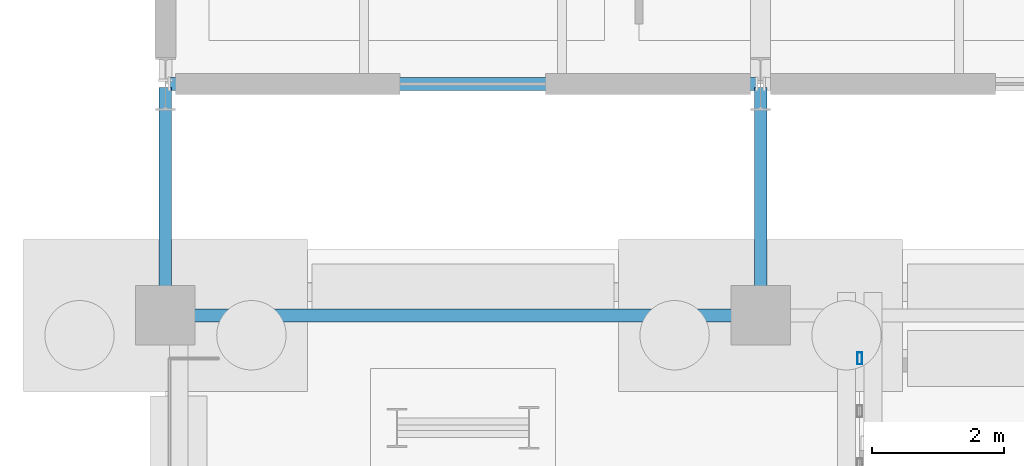
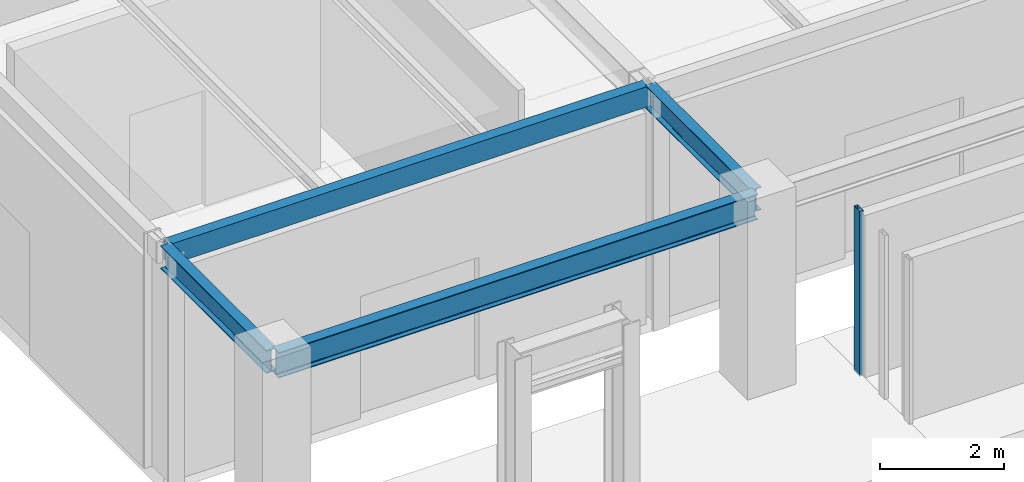
# One storey, part 73 of 160: 4 beams, 1 member, 1 element without a shape of its own.
"""IFC4 building model written with IfcOpenShell, lengths in metres."""

from ifc_helpers import new_model, si_unit, direction, frame, origin, origin_2d, place, context, subcontext, project, spatial, hollow_rectangle, i_section, extrude, material, layer, layer_set, material_profile, profile_set, type_object, element, aggregate, save


model = new_model("IFC4")

# Units and contexts
model_context = context("Model", 3, precision=1e-05, world=origin(), true_north=direction((0.0, 1.0)))
body_context = subcontext(model_context, "Body", "Model", "MODEL_VIEW")
ifc_project = project(units=[si_unit("LENGTHUNIT", "METRE"), si_unit("AREAUNIT", "SQUARE_METRE"), si_unit("VOLUMEUNIT", "CUBIC_METRE"), si_unit("PLANEANGLEUNIT", "RADIAN"), si_unit("MASSUNIT", "GRAM", prefix="KILO")], contexts=[model_context])

# Site, building, storey
site_placement = place(None, origin())
site = spatial("IfcSite", under=ifc_project, at=site_placement, CompositionType="ELEMENT")
building_placement = place(site_placement, origin())
building = spatial("IfcBuilding", under=site, at=building_placement, Name="Marlcrest Central Station", CompositionType="ELEMENT")
storey_placement = place(building_placement, origin())
storey = spatial("IfcBuildingStorey", under=building, at=storey_placement, Name="L00", CompositionType="ELEMENT", Elevation=0.0)

# Beams
ifc_material_1 = material(Name="Steel S355", Category="steel")
ifc_material_profile_1 = material_profile(ifc_material_1, i_section(OverallWidth=0.18994140625, OverallDepth=0.449951171875, WebThickness=0.009521484375, FlangeThickness=0.0146484375, FilletRadius=0.02099609375, at=origin_2d()), Name="IPE 450")
ifc_profile_set_1 = profile_set([ifc_material_profile_1], Name="Steel S355")
beam_type_1 = type_object("IfcBeamType", Name="BM-04", PredefinedType="BEAM", material=ifc_profile_set_1)
for number, where, z_axis, x_axis, name in (
    (1, (0.0, 95.550048828125, 4.385009765625), (0.0, 1.0, 0.0), (-1.0, 0.0, 0.0), "bm-BM-04-L00-01054"),
    (2, (9.0, 95.550048828125, 4.385009765625), (0.0, 1.0, 0.0), (-1.0, 0.0, 0.0), "bm-BM-04-L00-01059"),
):
    element("IfcBeam", number, at=place(storey_placement, frame(where, z_axis=z_axis, x_axis=x_axis)), inside=storey, type_object=beam_type_1, Name=name, PredefinedType="BEAM", context=body_context, shape_type="SweptSolid", body=[
        extrude(i_section(OverallWidth=0.18994140625, OverallDepth=0.449951171875, WebThickness=0.009521484375, FlangeThickness=0.0146484375, FilletRadius=0.02099609375, at=origin_2d()), origin(), (0.0, 0.0, 1.0), 3.39990234375),
    ])
ifc_material_profile_2 = material_profile(ifc_material_1, i_section(OverallWidth=0.199951171875, OverallDepth=0.5, WebThickness=0.01025390625, FlangeThickness=0.01611328125, FilletRadius=0.02099609375, at=origin_2d()), Name="IPE 500")
ifc_profile_set_2 = profile_set([ifc_material_profile_2], Name="Steel S355")
beam_type_2 = type_object("IfcBeamType", Name="BM-05", PredefinedType="BEAM", material=ifc_profile_set_2)
beam_1_placement = place(storey_placement, frame((0.050048828125, 95.5, 4.360107421875), z_axis=(1.0, 0.0, 0.0), x_axis=(0.0, 1.0, 0.0)))
element("IfcBeam", 3, at=beam_1_placement, inside=storey, type_object=beam_type_2, Name="bm-BM-05-L00-01057", PredefinedType="BEAM", context=body_context, shape_type="SweptSolid", body=[
    extrude(i_section(OverallWidth=0.199951171875, OverallDepth=0.5, WebThickness=0.01025390625, FlangeThickness=0.01611328125, FilletRadius=0.02099609375, at=origin_2d()), origin(), (0.0, 0.0, 1.0), 8.89990234375),
])

# Curtain wall, member
ifc_material_2 = material(Name="Anodised aluminium and hurricane laminated glass", Category="aluminium")
ifc_layer = layer(ifc_material_2, 0.179931640625, Name="CW-S1")
ifc_layer_set = layer_set([ifc_layer], Name="Anodised aluminium and hurricane laminated glass")
curtain_wall_type = type_object("IfcCurtainWallType", Name="CW-S1", PredefinedType="USERDEFINED", material=ifc_layer_set)
curtain_wall_placement = place(storey_placement, origin())
curtain_wall = element("IfcCurtainWall", 4, at=curtain_wall_placement, inside=storey, type_object=curtain_wall_type, Name="cw-L00-0179", ObjectType="STICK_CURTAIN_WALL", PredefinedType="USERDEFINED")
ifc_material_3 = material(Name="Anodised aluminium 6063-T6", Category="aluminium")
ifc_material_profile_3 = material_profile(ifc_material_3, hollow_rectangle(XDim=0.070068359375, YDim=0.179931640625, WallThickness=0.0048828125, at=origin_2d()), Name="AA-RHS 180x70x5")
ifc_profile_set_3 = profile_set([ifc_material_profile_3], Name="Anodised aluminium 6063-T6")
member_type = type_object("IfcMemberType", Name="ML-02", PredefinedType="MULLION", material=ifc_profile_set_3)
member_placement = place(storey_placement, frame((10.5, 94.85009765625, 0.885009765625), z_axis=(0.0, 0.0, 1.0), x_axis=(1.0, 0.0, 0.0)))
member = element("IfcMember", 5, at=member_placement, type_object=member_type, Name="cw-L00-0179-ml-2", PredefinedType="MULLION", context=body_context, shape_type="SweptSolid", body=[
    extrude(hollow_rectangle(XDim=0.070068359375, YDim=0.179931640625, WallThickness=0.0048828125, at=origin_2d()), origin(), (0.0, 0.0, 1.0), 3.244873046875),
])
aggregate(curtain_wall, [member])

# Beam
ifc_material_profile_4 = material_profile(ifc_material_1, hollow_rectangle(XDim=0.199951171875, YDim=0.39990234375, WallThickness=0.01611328125, at=origin_2d()), Name="RHS 400x200x16")
ifc_profile_set_4 = profile_set([ifc_material_profile_4], Name="Steel S355")
beam_type_3 = type_object("IfcBeamType", Name="SP-01", PredefinedType="SPANDREL", material=ifc_profile_set_4)
beam_2_placement = place(storey_placement, frame((0.050048828125, 99.0, 4.409912109375), z_axis=(1.0, 0.0, 0.0), x_axis=(0.0, 1.0, 0.0)))
element("IfcBeam", 6, at=beam_2_placement, inside=storey, type_object=beam_type_3, Name="bm-SP-01-L00-00108", PredefinedType="SPANDREL", context=body_context, shape_type="SweptSolid", body=[
    extrude(hollow_rectangle(XDim=0.199951171875, YDim=0.39990234375, WallThickness=0.01611328125, at=origin_2d()), origin(), (0.0, 0.0, 1.0), 8.89990234375),
])

save(model, "model.ifc")
